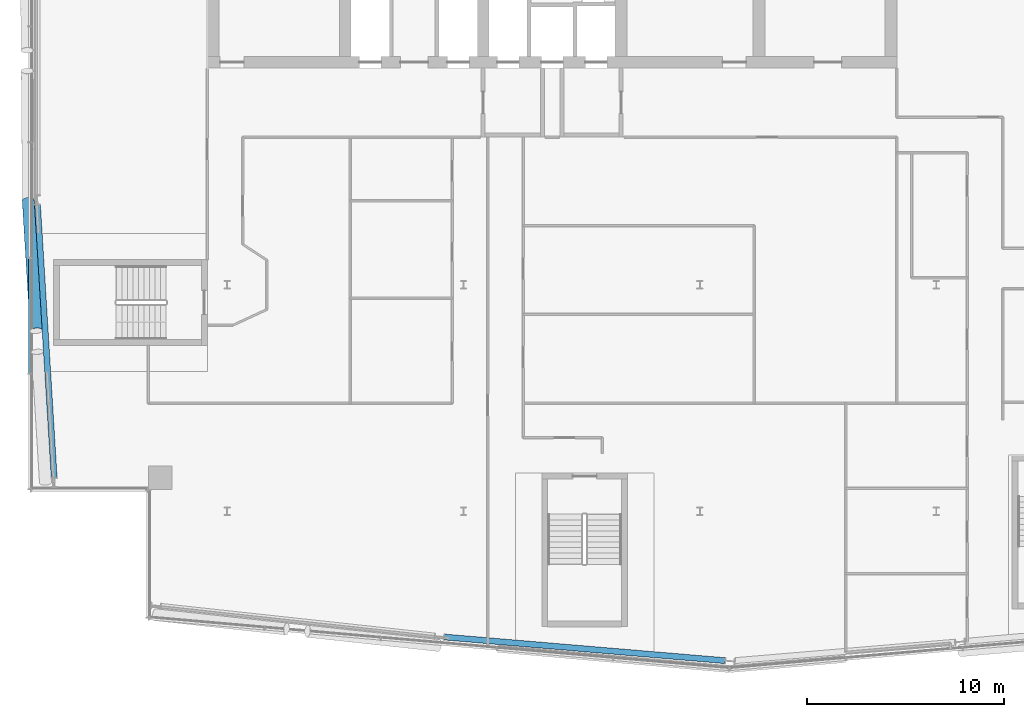
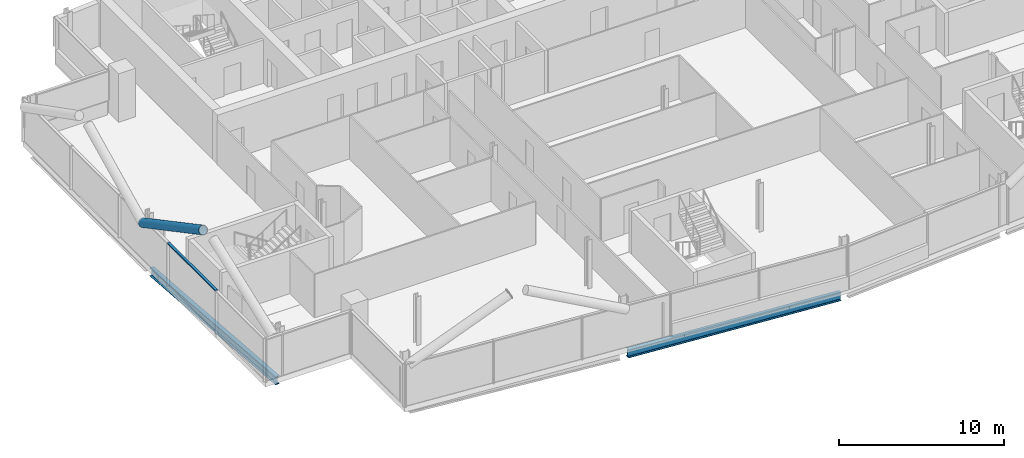
# One storey, part 6 of 25: 2 beams, 2 members, 1 element without a shape of its own.
"""IFC4 building model written with IfcOpenShell, lengths in metres."""

from ifc_helpers import new_model, si_unit, direction, frame, origin, origin_2d, place, context, subcontext, project, spatial, rectangle, hollow_circle, i_section, extrude, material, material_profile, profile_set, type_object, element, aggregate, save


model = new_model("IFC4")

# Units and contexts
model_context = context("Model", 3, precision=1e-05, world=origin(), true_north=direction((0.0, 1.0)))
body_context = subcontext(model_context, "Body", "Model", "MODEL_VIEW")
ifc_project = project(units=[si_unit("LENGTHUNIT", "METRE"), si_unit("AREAUNIT", "SQUARE_METRE"), si_unit("VOLUMEUNIT", "CUBIC_METRE"), si_unit("PLANEANGLEUNIT", "RADIAN"), si_unit("MASSUNIT", "GRAM", prefix="KILO")], contexts=[model_context])

# Site, building, storey
site_placement = place(None, origin())
site = spatial("IfcSite", under=ifc_project, at=site_placement, CompositionType="ELEMENT")
building_placement = place(site_placement, origin())
building = spatial("IfcBuilding", under=site, at=building_placement, Name="Wharfspan Tower", CompositionType="ELEMENT")
storey_placement = place(building_placement, frame((0.0, 0.0, 225.100098)))
storey = spatial("IfcBuildingStorey", under=building, at=storey_placement, Name="L56", CompositionType="ELEMENT", Elevation=225.100098)

# Beams
ifc_material_1 = material(Name="Steel S355J2", Category="steel")
ifc_material_profile_1 = material_profile(ifc_material_1, i_section(OverallWidth=0.300049, OverallDepth=0.600098, WebThickness=0.015381, FlangeThickness=0.030029, FilletRadius=0.0271, at=origin_2d()))
ifc_profile_set_1 = profile_set([ifc_material_profile_1], Name="Steel S355J2")
beam_type = type_object("IfcBeamType", Name="Edge beam HEB 600", PredefinedType="SPANDREL", material=ifc_profile_set_1)
beam_1_placement = place(storey_placement, frame((35.038574, 5.121582, -0.700195), z_axis=(0.996473, -0.083909, 0.0), x_axis=(0.083909, 0.996473, 0.0)))
element("IfcBeam", 1, at=beam_1_placement, inside=storey, type_object=beam_type, Name="Edge beam S1 L56 PS1.2 to PS1.3", PredefinedType="SPANDREL", context=body_context, shape_type="SweptSolid", body=[
    extrude(i_section(OverallWidth=0.300049, OverallDepth=0.600098, WebThickness=0.015381, FlangeThickness=0.030029, FilletRadius=0.0271, at=origin_2d()), origin(), (0.0, 0.0, 1.0), 14.277344),
])
beam_2_placement = place(storey_placement, frame((14.375732, 27.041992, -0.700195), z_axis=(0.061113, -0.998131, 0.0), x_axis=(0.998131, 0.061113, 0.0)))
element("IfcBeam", 2, at=beam_2_placement, inside=storey, type_object=beam_type, Name="Edge beam L56 PW.1 to PW.2", PredefinedType="SPANDREL", context=body_context, shape_type="SweptSolid", body=[
    extrude(i_section(OverallWidth=0.300049, OverallDepth=0.600098, WebThickness=0.015381, FlangeThickness=0.030029, FilletRadius=0.0271, at=origin_2d()), origin(), (0.0, 0.0, 1.0), 13.846436),
])

# Member
ifc_material_2 = material(Name="Steel S460NH", Category="steel")
ifc_material_profile_2 = material_profile(ifc_material_2, hollow_circle(Radius=0.304932, WallThickness=0.024902, at=origin_2d()))
ifc_profile_set_2 = profile_set([ifc_material_profile_2], Name="Steel S460NH")
member_type_1 = type_object("IfcMemberType", Name="Mega brace CHS 610x25", PredefinedType="BRACE", material=ifc_profile_set_2)
member_1_placement = place(storey_placement, frame((13.905029, 27.300049, 2.899902), z_axis=(0.054615, -0.892302, 0.448123), x_axis=(0.998132, 0.061091, -3e-06)))
element("IfcMember", 3, at=member_1_placement, inside=storey, type_object=member_type_1, Name="Mega brace W4 L57 part 1", PredefinedType="BRACE", context=body_context, shape_type="SweptSolid", body=[
    extrude(hollow_circle(Radius=0.304932, WallThickness=0.024902, at=origin_2d()), origin(), (0.0, 0.0, 1.0), 7.429443),
])

# Curtain wall, member
ifc_material_3 = material(Name="Aluminium 6063-T6", Category="aluminium")
curtain_wall_type = type_object("IfcCurtainWallType", Name="CURTAIN WALL PROW AND END", PredefinedType="NOTDEFINED", material=ifc_material_3)
curtain_wall_placement = place(storey_placement, origin())
curtain_wall = element("IfcCurtainWall", 4, at=curtain_wall_placement, inside=storey, type_object=curtain_wall_type, Name="Curtain wall W", PredefinedType="NOTDEFINED")
ifc_material_profile_3 = material_profile(ifc_material_3, rectangle(XDim=0.179932, YDim=0.080078, at=origin_2d()))
ifc_profile_set_3 = profile_set([ifc_material_profile_3], Name="Aluminium 6063-T6")
member_type_2 = type_object("IfcMemberType", Name="TRANSOM PROW AND END 80x180", PredefinedType="USERDEFINED", material=ifc_profile_set_3)
member_2_placement = place(storey_placement, frame((14.0, 24.330078, 3.159912), z_axis=(0.0, -1.0, 0.0), x_axis=(1.0, 0.0, 0.0)))
member_2 = element("IfcMember", 5, at=member_2_placement, type_object=member_type_2, Name="Curtain wall W transom 4", ObjectType="TRANSOM", PredefinedType="USERDEFINED", context=body_context, shape_type="SweptSolid", body=[
    extrude(rectangle(XDim=0.179932, YDim=0.080078, at=origin_2d()), origin(), (0.0, 0.0, 1.0), 5.820068),
])
aggregate(curtain_wall, [member_2])

save(model, "model.ifc")
